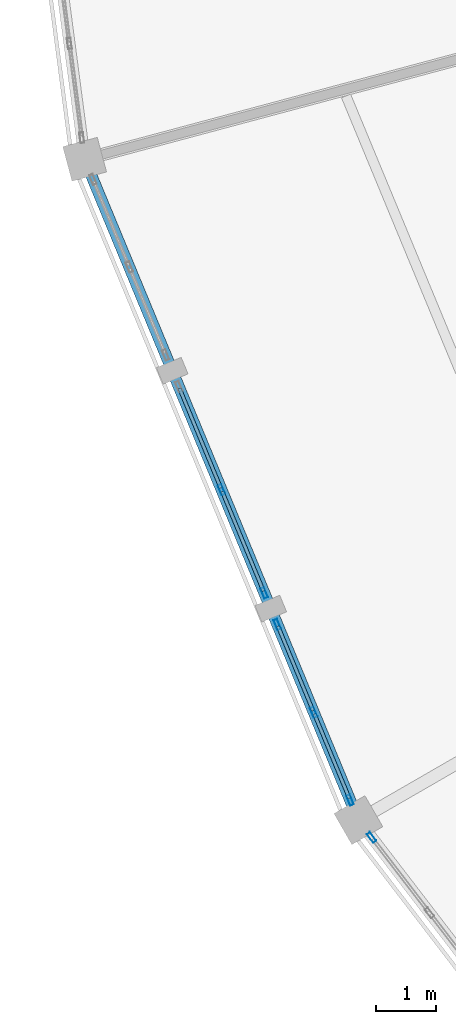
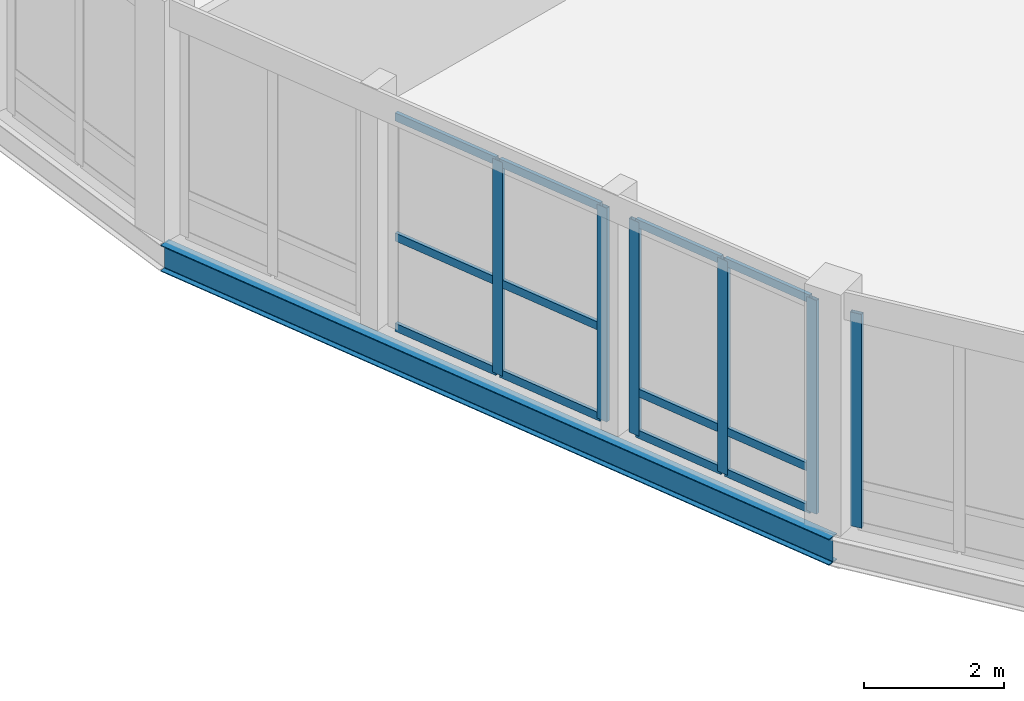
# One storey, part 29 of 170: 18 members, 1 beam, 3 elements without a shape of their own.
"""IFC4 building model written with IfcOpenShell, lengths in metres."""

from ifc_helpers import new_model, si_unit, direction, frame, origin, origin_2d, place, context, subcontext, project, spatial, hollow_rectangle, i_section, extrude, material, material_profile, profile_set, type_object, element, aggregate, save


model = new_model("IFC4")

# Units and contexts
model_context = context("Model", 3, precision=1e-05, world=origin(), true_north=direction((0.0, 1.0)))
body_context = subcontext(model_context, "Body", "Model", "MODEL_VIEW")
ifc_project = project(units=[si_unit("LENGTHUNIT", "METRE"), si_unit("AREAUNIT", "SQUARE_METRE"), si_unit("VOLUMEUNIT", "CUBIC_METRE"), si_unit("PLANEANGLEUNIT", "RADIAN"), si_unit("MASSUNIT", "GRAM", prefix="KILO")], contexts=[model_context])

# Site, building, storey
site_placement = place(None, origin())
site = spatial("IfcSite", under=ifc_project, at=site_placement, CompositionType="ELEMENT")
building_placement = place(site_placement, origin())
building = spatial("IfcBuilding", under=site, at=building_placement, Name="Vondelvale Polytechnic", CompositionType="ELEMENT")
storey_placement = place(building_placement, frame((0.0, 0.0, 5.39990234375)))
storey = spatial("IfcBuildingStorey", under=building, at=storey_placement, Name="L01", CompositionType="ELEMENT", Elevation=5.39990234375)

# Beam
ifc_material_1 = material(Name="Steel 300PLUS (fy = 300 MPa)", Category="steel")
ifc_material_profile_1 = material_profile(ifc_material_1, i_section(OverallWidth=0.18994140625, OverallDepth=0.45703125, WebThickness=0.009033203125, FlangeThickness=0.014404296875, FilletRadius=0.011474609375, at=origin_2d()), Name="460UB74.6")
ifc_profile_set_1 = profile_set([ifc_material_profile_1], Name="Steel 300PLUS (fy = 300 MPa)")
beam_type = type_object("IfcBeamType", Name="BM-UB460", PredefinedType="BEAM", material=ifc_profile_set_1)
beam_placement = place(storey_placement, frame((57.5673828125, 60.09423828125, -0.50830078125), z_axis=(0.382688765072, -0.923877323614, 0.0), x_axis=(0.923877323614, 0.382688765072, 0.0)))
element("IfcBeam", 1, at=beam_placement, inside=storey, type_object=beam_type, Name="L01 RB B-13", PredefinedType="BEAM", context=body_context, shape_type="SweptSolid", body=[
    extrude(i_section(OverallWidth=0.18994140625, OverallDepth=0.45703125, WebThickness=0.009033203125, FlangeThickness=0.014404296875, FilletRadius=0.011474609375, at=origin_2d()), origin(), (0.0, 0.0, 1.0), 12.00830078125),
])

# Curtain wall, members
ifc_material_2 = material(Name="Glulam GL18 structural Tasmanian oak (fb = 42 MPa)", Category="wood")
curtain_wall_type = type_object("IfcCurtainWallType", Name="CW-RING-OUTER", PredefinedType="NOTDEFINED", material=ifc_material_2)
curtain_wall_1_placement = place(storey_placement, origin())
curtain_wall_1 = element("IfcCurtainWall", 2, at=curtain_wall_1_placement, inside=storey, type_object=curtain_wall_type, Name="L01 architectural curtain wall CW-04-281", PredefinedType="NOTDEFINED")
ifc_material_3 = material(Name="Anodised extruded aluminium 6063-T6", Category="aluminium")
ifc_material_profile_2 = material_profile(ifc_material_3, hollow_rectangle(XDim=0.06494140625, YDim=0.179931640625, WallThickness=0.00390625, at=origin_2d()), Name="CW-MUL-180x65")
ifc_profile_set_2 = profile_set([ifc_material_profile_2], Name="Anodised extruded aluminium 6063-T6")
member_type_1 = type_object("IfcMemberType", Name="CW-MUL-65x180", PredefinedType="MULLION", material=ifc_profile_set_2)
member_1_placement = place(storey_placement, frame((59.864990234375, 54.547119140625, 0.0), z_axis=(0.0, 0.0, 1.0), x_axis=(0.92387490701, 0.382694599123, 0.0)))
member_1 = element("IfcMember", 3, at=member_1_placement, type_object=member_type_1, Name="CW-04-281 mullion 2", PredefinedType="MULLION", context=body_context, shape_type="SweptSolid", body=[
    extrude(hollow_rectangle(XDim=0.06494140625, YDim=0.179931640625, WallThickness=0.00390625, at=origin_2d()), origin(), (0.0, 0.0, 1.0), 3.72021484375),
])
member_2_placement = place(storey_placement, frame((60.582275390625, 52.81591796875, 0.0), z_axis=(0.0, 0.0, 1.0), x_axis=(0.92387490701, 0.382694599123, 0.0)))
member_2 = element("IfcMember", 4, at=member_2_placement, type_object=member_type_1, Name="CW-04-281 mullion 3", PredefinedType="MULLION", context=body_context, shape_type="SweptSolid", body=[
    extrude(hollow_rectangle(XDim=0.06494140625, YDim=0.179931640625, WallThickness=0.00390625, at=origin_2d()), origin(), (0.0, 0.0, 1.0), 3.72021484375),
])

curtain_wall_2_placement = place(storey_placement, origin())
curtain_wall_2 = element("IfcCurtainWall", 5, at=curtain_wall_2_placement, inside=storey, type_object=curtain_wall_type, Name="L01 architectural curtain wall CW-04-282", PredefinedType="NOTDEFINED")
member_3_placement = place(storey_placement, frame((60.80224609375, 52.28466796875, 0.0), z_axis=(0.0, 0.0, 1.0), x_axis=(0.923882033442, 0.382677394529, 0.0)))
member_3 = element("IfcMember", 6, at=member_3_placement, type_object=member_type_1, Name="CW-04-282 mullion 1", PredefinedType="MULLION", context=body_context, shape_type="SweptSolid", body=[
    extrude(hollow_rectangle(XDim=0.06494140625, YDim=0.179931640625, WallThickness=0.00390625, at=origin_2d()), origin(), (0.0, 0.0, 1.0), 3.72021484375),
])
member_4_placement = place(storey_placement, frame((61.41259765625, 50.81103515625, 0.0), z_axis=(0.0, 0.0, 1.0), x_axis=(0.923882033442, 0.382677394529, 0.0)))
member_4 = element("IfcMember", 7, at=member_4_placement, type_object=member_type_1, Name="CW-04-282 mullion 2", PredefinedType="MULLION", context=body_context, shape_type="SweptSolid", body=[
    extrude(hollow_rectangle(XDim=0.06494140625, YDim=0.179931640625, WallThickness=0.00390625, at=origin_2d()), origin(), (0.0, 0.0, 1.0), 3.72021484375),
])
member_5_placement = place(storey_placement, frame((62.02294921875, 49.33740234375, 0.0), z_axis=(0.0, 0.0, 1.0), x_axis=(0.923882033442, 0.382677394529, 0.0)))
member_5 = element("IfcMember", 8, at=member_5_placement, type_object=member_type_1, Name="CW-04-282 mullion 3", PredefinedType="MULLION", context=body_context, shape_type="SweptSolid", body=[
    extrude(hollow_rectangle(XDim=0.06494140625, YDim=0.179931640625, WallThickness=0.00390625, at=origin_2d()), origin(), (0.0, 0.0, 1.0), 3.72021484375),
])

# Curtain wall, member
curtain_wall_3_placement = place(storey_placement, origin())
curtain_wall_3 = element("IfcCurtainWall", 9, at=curtain_wall_3_placement, inside=storey, type_object=curtain_wall_type, Name="L01 architectural curtain wall CW-04-299", PredefinedType="NOTDEFINED")
member_6_placement = place(storey_placement, frame((62.385009765625, 48.710205078125, 0.0), z_axis=(0.0, 0.0, 1.0), x_axis=(0.793333825656, 0.608786860133, 0.0)))
member_6 = element("IfcMember", 10, at=member_6_placement, type_object=member_type_1, Name="CW-04-299 mullion 1", PredefinedType="MULLION", context=body_context, shape_type="SweptSolid", body=[
    extrude(hollow_rectangle(XDim=0.06494140625, YDim=0.179931640625, WallThickness=0.00390625, at=origin_2d()), origin(), (0.0, 0.0, 1.0), 3.72021484375),
])
aggregate(curtain_wall_3, [member_6])

# Member
ifc_material_profile_3 = material_profile(ifc_material_3, hollow_rectangle(XDim=0.06005859375, YDim=0.139892578125, WallThickness=0.00341796875, at=origin_2d()), Name="CW-TRN-140x60")
ifc_profile_set_3 = profile_set([ifc_material_profile_3], Name="Anodised extruded aluminium 6063-T6")
member_type_2 = type_object("IfcMemberType", Name="CW-TRN-60x140", PredefinedType="USERDEFINED", material=ifc_profile_set_3)
member_7_placement = place(storey_placement, frame((59.160400390625, 56.24853515625, 0.030029296875), z_axis=(0.382717291485, -0.923865506878, 0.0), x_axis=(0.923865506878, 0.382717291485, 0.0)))
member_7 = element("IfcMember", 11, at=member_7_placement, type_object=member_type_2, Name="CW-04-281 transom 1.1", ObjectType="TRANSOM", PredefinedType="USERDEFINED", context=body_context, shape_type="SweptSolid", body=[
    extrude(hollow_rectangle(XDim=0.06005859375, YDim=0.139892578125, WallThickness=0.00341796875, at=origin_2d()), origin(), (0.0, 0.0, 1.0), 1.80908203125),
])

member_8_placement = place(storey_placement, frame((59.160400390625, 56.24853515625, 1.60009765625), z_axis=(0.382717291485, -0.923865506878, 0.0), x_axis=(0.923865506878, 0.382717291485, 0.0)))
member_8 = element("IfcMember", 12, at=member_8_placement, type_object=member_type_2, Name="CW-04-281 transom 1.2", ObjectType="TRANSOM", PredefinedType="USERDEFINED", context=body_context, shape_type="SweptSolid", body=[
    extrude(hollow_rectangle(XDim=0.06005859375, YDim=0.139892578125, WallThickness=0.00341796875, at=origin_2d()), origin(), (0.0, 0.0, 1.0), 1.80908203125),
])

member_9_placement = place(storey_placement, frame((59.160400390625, 56.24853515625, 3.690185546875), z_axis=(0.382717291485, -0.923865506878, 0.0), x_axis=(0.923865506878, 0.382717291485, 0.0)))
member_9 = element("IfcMember", 13, at=member_9_placement, type_object=member_type_2, Name="CW-04-281 transom 1.3", ObjectType="TRANSOM", PredefinedType="USERDEFINED", context=body_context, shape_type="SweptSolid", body=[
    extrude(hollow_rectangle(XDim=0.06005859375, YDim=0.139892578125, WallThickness=0.00341796875, at=origin_2d()), origin(), (0.0, 0.0, 1.0), 1.80908203125),
])

member_10_placement = place(storey_placement, frame((59.87744140625, 54.51708984375, 0.030029296875), z_axis=(0.382765012338, -0.92384573676, 0.0), x_axis=(0.92384573676, 0.382765012338, 0.0)))
member_10 = element("IfcMember", 14, at=member_10_placement, type_object=member_type_2, Name="CW-04-281 transom 2.1", ObjectType="TRANSOM", PredefinedType="USERDEFINED", context=body_context, shape_type="SweptSolid", body=[
    extrude(hollow_rectangle(XDim=0.06005859375, YDim=0.139892578125, WallThickness=0.00341796875, at=origin_2d()), origin(), (0.0, 0.0, 1.0), 1.808837890625),
])

member_11_placement = place(storey_placement, frame((59.87744140625, 54.51708984375, 1.60009765625), z_axis=(0.382765012338, -0.92384573676, 0.0), x_axis=(0.92384573676, 0.382765012338, 0.0)))
member_11 = element("IfcMember", 15, at=member_11_placement, type_object=member_type_2, Name="CW-04-281 transom 2.2", ObjectType="TRANSOM", PredefinedType="USERDEFINED", context=body_context, shape_type="SweptSolid", body=[
    extrude(hollow_rectangle(XDim=0.06005859375, YDim=0.139892578125, WallThickness=0.00341796875, at=origin_2d()), origin(), (0.0, 0.0, 1.0), 1.808837890625),
])

member_12_placement = place(storey_placement, frame((59.87744140625, 54.51708984375, 3.690185546875), z_axis=(0.382765012338, -0.92384573676, 0.0), x_axis=(0.92384573676, 0.382765012338, 0.0)))
member_12 = element("IfcMember", 16, at=member_12_placement, type_object=member_type_2, Name="CW-04-281 transom 2.3", ObjectType="TRANSOM", PredefinedType="USERDEFINED", context=body_context, shape_type="SweptSolid", body=[
    extrude(hollow_rectangle(XDim=0.06005859375, YDim=0.139892578125, WallThickness=0.00341796875, at=origin_2d()), origin(), (0.0, 0.0, 1.0), 1.808837890625),
])

aggregate(curtain_wall_1, [member_1, member_2, member_7, member_8, member_9, member_10, member_11, member_12])

member_13_placement = place(storey_placement, frame((60.814697265625, 52.254638671875, 0.030029296875), z_axis=(0.382643045304, -0.923896260346, 0.0), x_axis=(0.923896260346, 0.382643045304, 0.0)))
member_13 = element("IfcMember", 17, at=member_13_placement, type_object=member_type_2, Name="CW-04-282 transom 1.1", ObjectType="TRANSOM", PredefinedType="USERDEFINED", context=body_context, shape_type="SweptSolid", body=[
    extrude(hollow_rectangle(XDim=0.06005859375, YDim=0.139892578125, WallThickness=0.00341796875, at=origin_2d()), origin(), (0.0, 0.0, 1.0), 1.530029296875),
])

member_14_placement = place(storey_placement, frame((60.814697265625, 52.254638671875, 0.75), z_axis=(0.382643045304, -0.923896260346, 0.0), x_axis=(0.923896260346, 0.382643045304, 0.0)))
member_14 = element("IfcMember", 18, at=member_14_placement, type_object=member_type_2, Name="CW-04-282 transom 1.2", ObjectType="TRANSOM", PredefinedType="USERDEFINED", context=body_context, shape_type="SweptSolid", body=[
    extrude(hollow_rectangle(XDim=0.06005859375, YDim=0.139892578125, WallThickness=0.00341796875, at=origin_2d()), origin(), (0.0, 0.0, 1.0), 1.530029296875),
])

member_15_placement = place(storey_placement, frame((60.814697265625, 52.254638671875, 3.690185546875), z_axis=(0.382643045304, -0.923896260346, 0.0), x_axis=(0.923896260346, 0.382643045304, 0.0)))
member_15 = element("IfcMember", 19, at=member_15_placement, type_object=member_type_2, Name="CW-04-282 transom 1.3", ObjectType="TRANSOM", PredefinedType="USERDEFINED", context=body_context, shape_type="SweptSolid", body=[
    extrude(hollow_rectangle(XDim=0.06005859375, YDim=0.139892578125, WallThickness=0.00341796875, at=origin_2d()), origin(), (0.0, 0.0, 1.0), 1.530029296875),
])

member_16_placement = place(storey_placement, frame((61.425048828125, 50.781005859375, 0.030029296875), z_axis=(0.382779237206, -0.923839843027, 0.0), x_axis=(0.923839843027, 0.382779237206, 0.0)))
member_16 = element("IfcMember", 20, at=member_16_placement, type_object=member_type_2, Name="CW-04-282 transom 2.1", ObjectType="TRANSOM", PredefinedType="USERDEFINED", context=body_context, shape_type="SweptSolid", body=[
    extrude(hollow_rectangle(XDim=0.06005859375, YDim=0.139892578125, WallThickness=0.00341796875, at=origin_2d()), origin(), (0.0, 0.0, 1.0), 1.530029296875),
])

member_17_placement = place(storey_placement, frame((61.425048828125, 50.781005859375, 0.75), z_axis=(0.382779237206, -0.923839843027, 0.0), x_axis=(0.923839843027, 0.382779237206, 0.0)))
member_17 = element("IfcMember", 21, at=member_17_placement, type_object=member_type_2, Name="CW-04-282 transom 2.2", ObjectType="TRANSOM", PredefinedType="USERDEFINED", context=body_context, shape_type="SweptSolid", body=[
    extrude(hollow_rectangle(XDim=0.06005859375, YDim=0.139892578125, WallThickness=0.00341796875, at=origin_2d()), origin(), (0.0, 0.0, 1.0), 1.530029296875),
])

member_18_placement = place(storey_placement, frame((61.425048828125, 50.781005859375, 3.690185546875), z_axis=(0.382779237206, -0.923839843027, 0.0), x_axis=(0.923839843027, 0.382779237206, 0.0)))
member_18 = element("IfcMember", 22, at=member_18_placement, type_object=member_type_2, Name="CW-04-282 transom 2.3", ObjectType="TRANSOM", PredefinedType="USERDEFINED", context=body_context, shape_type="SweptSolid", body=[
    extrude(hollow_rectangle(XDim=0.06005859375, YDim=0.139892578125, WallThickness=0.00341796875, at=origin_2d()), origin(), (0.0, 0.0, 1.0), 1.530029296875),
])

aggregate(curtain_wall_2, [member_3, member_4, member_5, member_13, member_14, member_15, member_16, member_17, member_18])

save(model, "model.ifc")
